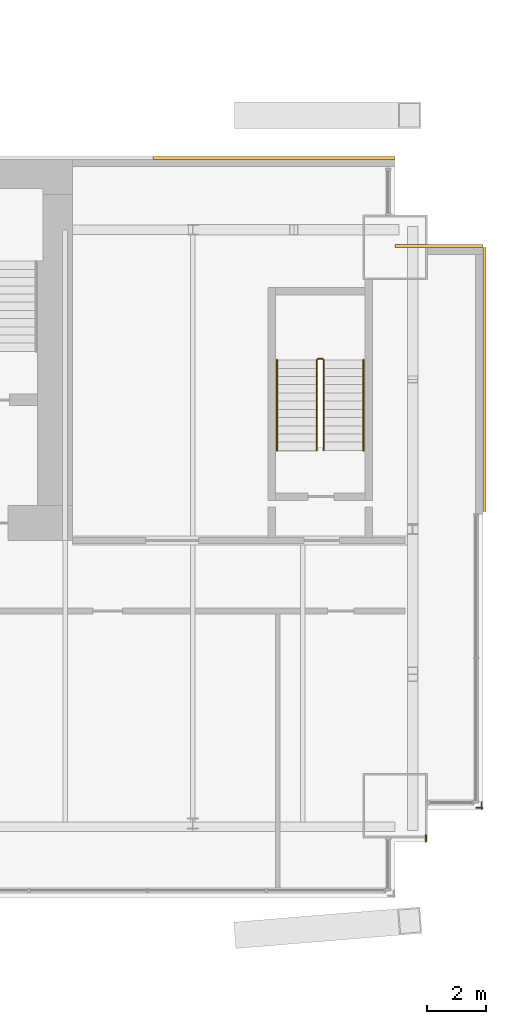
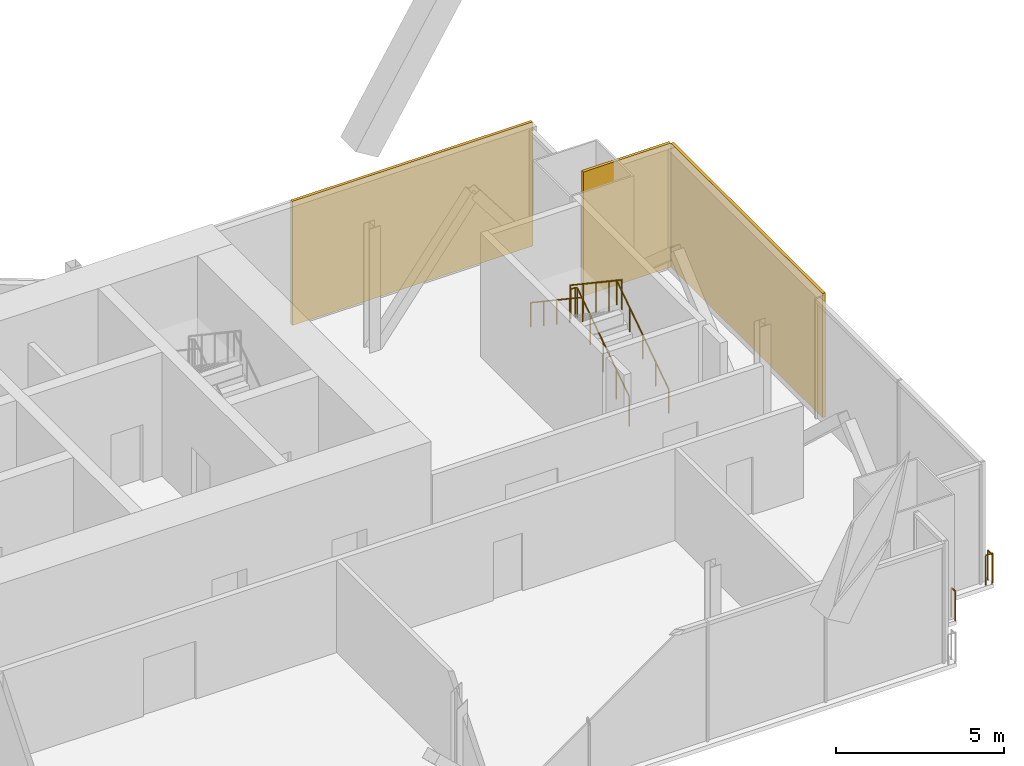
# One storey, part 17 of 17: 5 railings, 3 coverings.
"""IFC4 building model written with IfcOpenShell, lengths in metres."""

from ifc_helpers import new_model, si_unit, direction, frame, origin, origin_2d, place, context, subcontext, project, spatial, rectangle, circle, extrude, material, layer, layer_set, type_object, element, save


model = new_model("IFC4")

# Units and contexts
model_context = context("Model", 3, precision=1e-05, world=origin(), true_north=direction((0.0, 1.0)))
body_context = subcontext(model_context, "Body", "Model", "MODEL_VIEW")
ifc_project = project(units=[si_unit("LENGTHUNIT", "METRE"), si_unit("AREAUNIT", "SQUARE_METRE"), si_unit("VOLUMEUNIT", "CUBIC_METRE"), si_unit("PLANEANGLEUNIT", "RADIAN"), si_unit("MASSUNIT", "GRAM", prefix="KILO")], contexts=[model_context])

# Site, building, storey
site_placement = place(None, origin())
site = spatial("IfcSite", under=ifc_project, at=site_placement, CompositionType="ELEMENT")
building_placement = place(site_placement, origin())
building = spatial("IfcBuilding", under=site, at=building_placement, Name="Bicima Exchange Tower", CompositionType="ELEMENT")
storey_placement = place(building_placement, frame((0.0, 0.0, 333.5)))
storey = spatial("IfcBuildingStorey", under=building, at=storey_placement, Name="L75", CompositionType="ELEMENT", Elevation=333.5)

# Coverings
ifc_material_1 = material(Name="Bronze metal cladding")
ifc_layer_1 = layer(ifc_material_1, 0.004)
ifc_material_2 = material(Name="Ventilated cavity")
ifc_layer_2 = layer(ifc_material_2, 0.06)
ifc_material_3 = material(Name="Galvanised steel rail and mineral wool", Category="steel")
ifc_layer_3 = layer(ifc_material_3, 0.036)
ifc_layer_set = layer_set([ifc_layer_1, ifc_layer_2, ifc_layer_3], Name="Ventilated cavity")
covering_type = type_object("IfcCoveringType", Name="Bronze metal cladding panel 100", PredefinedType="CLADDING", material=ifc_layer_set)
covering_1_placement = place(storey_placement, frame((28.875, 0.050048828125, -0.14990234375), z_axis=(0.0, 0.0, 1.0), x_axis=(-1.0, 0.0, 0.0)))
element("IfcCovering", 1, at=covering_1_placement, inside=storey, type_object=covering_type, Name="Bronze cladding L75 1.1", PredefinedType="CLADDING", context=body_context, shape_type="SweptSolid", body=[
    extrude(rectangle(XDim=8.25, YDim=0.10009765625, at=origin_2d()), origin(), (0.0, 0.0, 1.0), 4.5),
])
covering_2_placement = place(storey_placement, frame((36.050048828125, -7.5, -0.14990234375), z_axis=(0.0, 0.0, 1.0), x_axis=(0.0, 1.0, 0.0)))
element("IfcCovering", 2, at=covering_2_placement, inside=storey, type_object=covering_type, Name="Bronze cladding L75 50.1", PredefinedType="CLADDING", context=body_context, shape_type="SweptSolid", body=[
    extrude(rectangle(XDim=9.0, YDim=0.10009765625, at=origin_2d()), origin(), (0.0, 0.0, 1.0), 4.5),
])
covering_3_placement = place(storey_placement, frame((34.5, -2.949951171875, -0.14990234375), z_axis=(0.0, 0.0, 1.0), x_axis=(-1.0, 0.0, 0.0)))
element("IfcCovering", 3, at=covering_3_placement, inside=storey, type_object=covering_type, Name="Bronze cladding L75 51.1", PredefinedType="CLADDING", context=body_context, shape_type="SweptSolid", body=[
    extrude(rectangle(XDim=3.0, YDim=0.10009765625, at=origin_2d()), origin(), (0.0, 0.0, 1.0), 4.5),
])

# Railings
ifc_material_4 = material(Name="Stainless steel and bonded safety glass", Category="steel")
railing_type_1 = type_object("IfcRailingType", Name="Edge guard 1100", PredefinedType="GUARDRAIL", material=ifc_material_4)
railing_1_placement = place(storey_placement, frame((35.949951171875, -21.9150390625, 0.0)))
element("IfcRailing", 4, at=railing_1_placement, inside=storey, type_object=railing_type_1, Name="Edge guard L75 392", PredefinedType="GUARDRAIL", context=body_context, shape_type="SweptSolid", body=[
    extrude(circle(Radius=0.02392578125, at=origin_2d()), frame((0.0, 0.0, 1.076171875), z_axis=(0.0, -1.0, 0.0), x_axis=(1.0, 0.0, 0.0)), (0.0, 0.0, 1.0), 0.2490234375),
    extrude(circle(Radius=0.02392578125, at=origin_2d()), frame((0.0, -0.2490234375, 1.076171875), z_axis=(0.707106781187, 0.707106781187, 0.0), x_axis=(-0.707106781187, 0.707106781187, 0.0)), (0.0, 0.0, 1.0), 0.07080078125),
    extrude(circle(Radius=0.02392578125, at=origin_2d()), frame((0.050048828125, -0.198974609375, 1.076171875), z_axis=(-1.0, 0.0, 0.0), x_axis=(0.0, -1.0, 0.0)), (0.0, 0.0, 1.0), 0.237060546875),
    extrude(circle(Radius=0.02099609375, at=origin_2d()), origin(), (0.0, 0.0, 1.0), 1.052001953125),
    extrude(circle(Radius=0.02099609375, at=origin_2d()), frame((0.0, -0.2490234375, 0.0)), (0.0, 0.0, 1.0), 1.052001953125),
    extrude(circle(Radius=0.02099609375, at=origin_2d()), frame((0.050048828125, -0.198974609375, 0.0)), (0.0, 0.0, 1.0), 1.052001953125),
    extrude(circle(Radius=0.02099609375, at=origin_2d()), frame((-0.18701171875, -0.198974609375, 0.0)), (0.0, 0.0, 1.0), 1.052001953125),
])
railing_2_placement = place(storey_placement, frame((34.050048828125, -23.0439453125, 0.0)))
element("IfcRailing", 5, at=railing_2_placement, inside=storey, type_object=railing_type_1, Name="Edge guard L75 393", PredefinedType="GUARDRAIL", context=body_context, shape_type="SweptSolid", body=[
    extrude(circle(Radius=0.02392578125, at=origin_2d()), frame((0.0, 0.0, 1.076171875), z_axis=(0.0, -1.0, 0.0), x_axis=(1.0, 0.0, 0.0)), (0.0, 0.0, 1.0), 0.219970703125),
    extrude(circle(Radius=0.02099609375, at=origin_2d()), origin(), (0.0, 0.0, 1.0), 1.052001953125),
    extrude(circle(Radius=0.02099609375, at=origin_2d()), frame((0.0, -0.219970703125, 0.0)), (0.0, 0.0, 1.0), 1.052001953125),
])
ifc_material_5 = material(Name="Stainless steel", Category="steel")
railing_type_2 = type_object("IfcRailingType", Name="Stair guard 1100", PredefinedType="GUARDRAIL", material=ifc_material_5)
railing_3_placement = place(storey_placement, frame((30.574951171875, -9.925048828125, 0.1875)))
element("IfcRailing", 6, at=railing_3_placement, inside=storey, type_object=railing_type_2, Name="L75 ST-EE stair guard 1", PredefinedType="GUARDRAIL", context=body_context, shape_type="SweptSolid", body=[
    extrude(circle(Radius=0.02392578125, at=origin_2d()), frame((0.0, 0.0, 1.076171875), z_axis=(0.0, 0.830913701846, 0.55640131208), x_axis=(-1.0, 0.0, 0.0)), (0.0, 0.0, 1.0), 3.706787109375),
    extrude(circle(Radius=0.02392578125, at=origin_2d()), frame((0.0, 3.080078125, 3.138671875), z_axis=(-0.707106781187, 0.707106781187, 0.0), x_axis=(-0.707106781187, -0.707106781187, 0.0)), (0.0, 0.0, 1.0), 0.07080078125),
    extrude(circle(Radius=0.02392578125, at=origin_2d()), frame((-0.050048828125, 3.130126953125, 3.138671875), z_axis=(-1.0, 0.0, 0.0), x_axis=(0.0, -1.0, 0.0)), (0.0, 0.0, 1.0), 0.14990234375),
    extrude(circle(Radius=0.02392578125, at=origin_2d()), frame((-0.199951171875, 3.130126953125, 3.138671875), z_axis=(-0.249726431254, -0.249726431254, 0.935560483917), x_axis=(0.707106781187, -0.707106781187, 0.0)), (0.0, 0.0, 1.0), 0.200439453125),
    extrude(circle(Radius=0.02392578125, at=origin_2d()), frame((-0.25, 3.080078125, 3.326171875), z_axis=(0.0, -0.830913701846, 0.55640131208), x_axis=(1.0, 0.0, 0.0)), (0.0, 0.0, 1.0), 3.706787109375),
    extrude(circle(Radius=0.02099609375, at=origin_2d()), origin(), (0.0, 0.0, 1.0), 1.052001953125),
    extrude(circle(Radius=0.02099609375, at=origin_2d()), frame((0.0, 0.77001953125, 0.515625)), (0.0, 0.0, 1.0), 1.052001953125),
    extrude(circle(Radius=0.02099609375, at=origin_2d()), frame((0.0, 1.5400390625, 1.03125)), (0.0, 0.0, 1.0), 1.052001953125),
    extrude(circle(Radius=0.02099609375, at=origin_2d()), frame((0.0, 2.31005859375, 1.546875)), (0.0, 0.0, 1.0), 1.052001953125),
    extrude(circle(Radius=0.02099609375, at=origin_2d()), frame((0.0, 3.080078125, 2.0625)), (0.0, 0.0, 1.0), 1.052001953125),
    extrude(circle(Radius=0.02099609375, at=origin_2d()), frame((-0.050048828125, 3.130126953125, 2.0625)), (0.0, 0.0, 1.0), 1.052001953125),
    extrude(circle(Radius=0.02099609375, at=origin_2d()), frame((-0.199951171875, 3.130126953125, 2.0625)), (0.0, 0.0, 1.0), 1.052001953125),
    extrude(circle(Radius=0.02099609375, at=origin_2d()), frame((-0.25, 3.080078125, 2.25)), (0.0, 0.0, 1.0), 1.052001953125),
    extrude(circle(Radius=0.02099609375, at=origin_2d()), frame((-0.25, 2.31005859375, 2.765625)), (0.0, 0.0, 1.0), 1.052001953125),
    extrude(circle(Radius=0.02099609375, at=origin_2d()), frame((-0.25, 1.5400390625, 3.28125)), (0.0, 0.0, 1.0), 1.052001953125),
    extrude(circle(Radius=0.02099609375, at=origin_2d()), frame((-0.25, 0.77001953125, 3.796875)), (0.0, 0.0, 1.0), 1.052001953125),
    extrude(circle(Radius=0.02099609375, at=origin_2d()), frame((-0.25, 0.0, 4.3125)), (0.0, 0.0, 1.0), 1.052001953125),
])
railing_type_3 = type_object("IfcRailingType", Name="Stair handrail 900", PredefinedType="HANDRAIL", material=ifc_material_5)
railing_4_placement = place(storey_placement, frame((31.925048828125, -9.925048828125, 0.1875)))
element("IfcRailing", 7, at=railing_4_placement, inside=storey, type_object=railing_type_3, Name="L75 ST-EE stair handrail 1", PredefinedType="HANDRAIL", context=body_context, shape_type="SweptSolid", body=[
    extrude(circle(Radius=0.02392578125, at=origin_2d()), frame((0.0, 0.0, 0.8759765625), z_axis=(0.0, 0.830913701846, 0.55640131208), x_axis=(-1.0, 0.0, 0.0)), (0.0, 0.0, 1.0), 3.706787109375),
    extrude(circle(Radius=0.02099609375, at=origin_2d()), origin(), (0.0, 0.0, 1.0), 0.851806640625),
    extrude(circle(Radius=0.02099609375, at=origin_2d()), frame((0.0, 0.77001953125, 0.515625)), (0.0, 0.0, 1.0), 0.851806640625),
    extrude(circle(Radius=0.02099609375, at=origin_2d()), frame((0.0, 1.5400390625, 1.03125)), (0.0, 0.0, 1.0), 0.851806640625),
    extrude(circle(Radius=0.02099609375, at=origin_2d()), frame((0.0, 2.31005859375, 1.546875)), (0.0, 0.0, 1.0), 0.851806640625),
    extrude(circle(Radius=0.02099609375, at=origin_2d()), frame((0.0, 3.080078125, 2.0625)), (0.0, 0.0, 1.0), 0.851806640625),
])
railing_5_placement = place(storey_placement, frame((28.97509765625, -6.844970703125, 2.47900390625)))
element("IfcRailing", 8, at=railing_5_placement, inside=storey, type_object=railing_type_3, Name="L75 ST-EE stair handrail 2", PredefinedType="HANDRAIL", context=body_context, shape_type="SweptSolid", body=[
    extrude(circle(Radius=0.02392578125, at=origin_2d()), frame((0.0, 0.0, 0.8759765625), z_axis=(0.0, -0.830913701846, 0.55640131208), x_axis=(1.0, 0.0, 0.0)), (0.0, 0.0, 1.0), 3.706787109375),
    extrude(circle(Radius=0.02099609375, at=origin_2d()), origin(), (0.0, 0.0, 1.0), 0.851806640625),
    extrude(circle(Radius=0.02099609375, at=origin_2d()), frame((0.0, -0.77001953125, 0.515625)), (0.0, 0.0, 1.0), 0.851806640625),
    extrude(circle(Radius=0.02099609375, at=origin_2d()), frame((0.0, -1.5400390625, 1.03125)), (0.0, 0.0, 1.0), 0.851806640625),
    extrude(circle(Radius=0.02099609375, at=origin_2d()), frame((0.0, -2.31005859375, 1.546875)), (0.0, 0.0, 1.0), 0.851806640625),
    extrude(circle(Radius=0.02099609375, at=origin_2d()), frame((0.0, -3.080078125, 2.0625)), (0.0, 0.0, 1.0), 0.851806640625),
])

save(model, "model.ifc")
